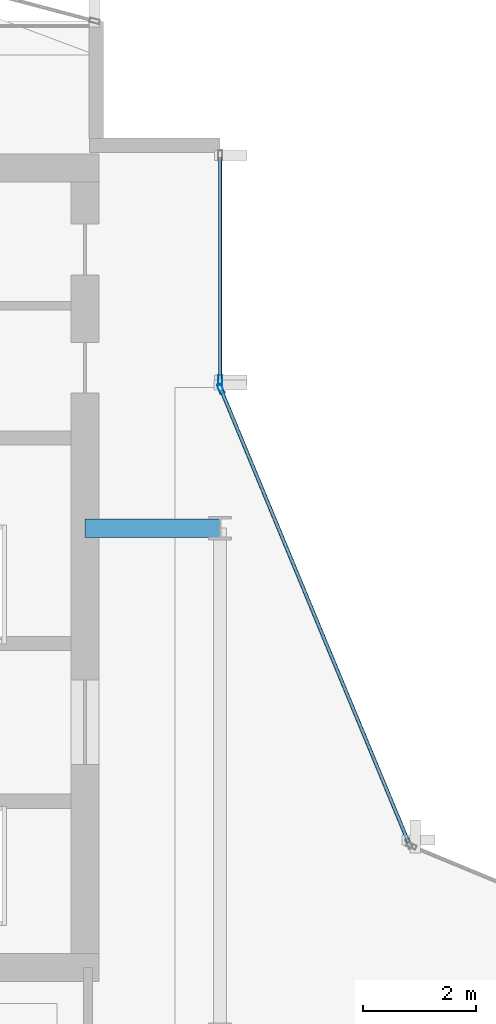
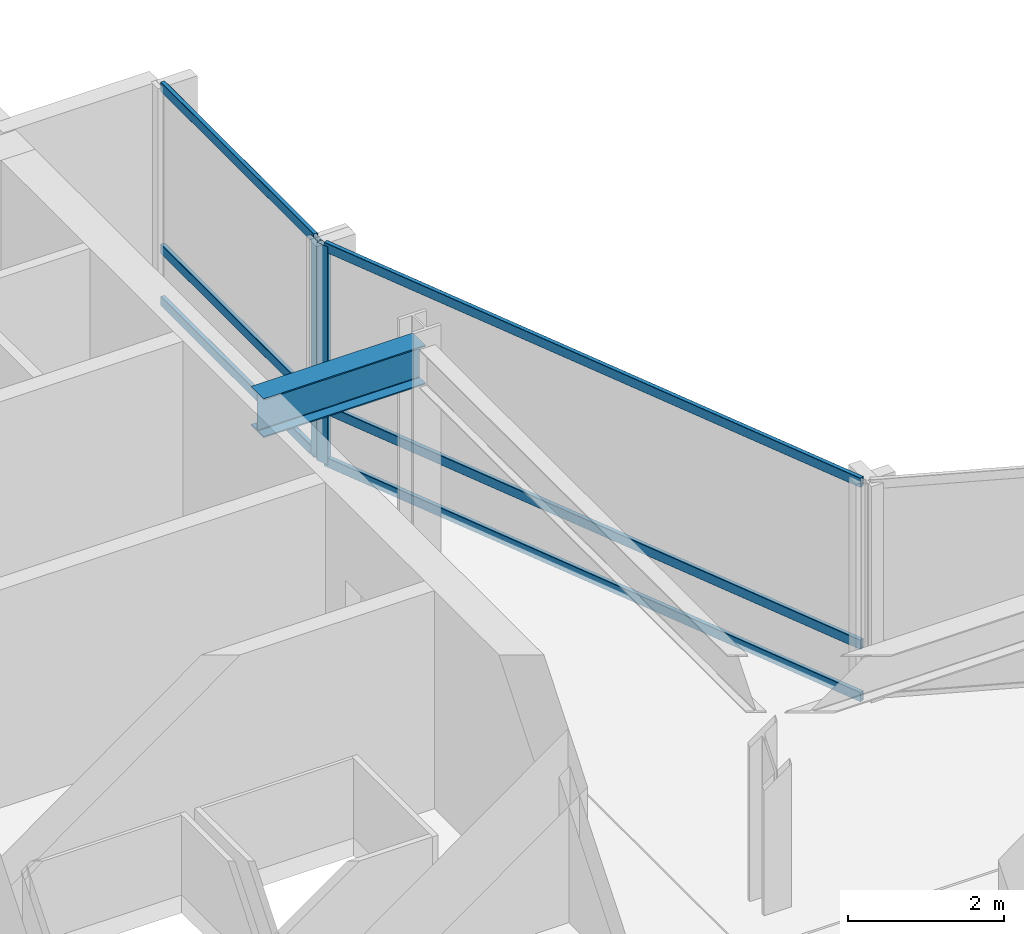
# One storey, part 17 of 27: 8 members, 1 beam, 2 elements without a shape of their own.
"""IFC4 building model written with IfcOpenShell, lengths in metres."""

from ifc_helpers import new_model, si_unit, direction, frame, origin, origin_2d, place, context, subcontext, project, spatial, hollow_rectangle, i_section, extrude, material, layer, layer_set, material_profile, profile_set, type_object, element, aggregate, save


model = new_model("IFC4")

# Units and contexts
model_context = context("Model", 3, precision=1e-05, world=origin(), true_north=direction((0.0, 1.0)))
body_context = subcontext(model_context, "Body", "Model", "MODEL_VIEW")
ifc_project = project(units=[si_unit("LENGTHUNIT", "METRE"), si_unit("AREAUNIT", "SQUARE_METRE"), si_unit("VOLUMEUNIT", "CUBIC_METRE"), si_unit("PLANEANGLEUNIT", "RADIAN"), si_unit("MASSUNIT", "GRAM", prefix="KILO")], contexts=[model_context])

# Site, building, storey
site_placement = place(None, origin())
site = spatial("IfcSite", under=ifc_project, at=site_placement, CompositionType="ELEMENT")
building_placement = place(site_placement, origin())
building = spatial("IfcBuilding", under=site, at=building_placement, Name="Solvaryn Broadcast Tower", CompositionType="ELEMENT")
storey_placement = place(building_placement, frame((0.0, 0.0, 185.300048828125)))
storey = spatial("IfcBuildingStorey", under=building, at=storey_placement, Name="L46", CompositionType="ELEMENT", Elevation=185.300048828125)

# Beam
ifc_material_1 = material(Name="Steel ASTM A992 Grade 50", Category="steel")
ifc_material_profile_1 = material_profile(ifc_material_1, i_section(OverallWidth=0.323974609375, OverallDepth=0.611083984375, WebThickness=0.0126953125, FlangeThickness=0.01904296875, FilletRadius=0.014892578125, at=origin_2d()))
ifc_profile_set_1 = profile_set([ifc_material_profile_1], Name="Steel ASTM A992 Grade 50")
beam_type = type_object("IfcBeamType", Name="BM-B1-W24X104", PredefinedType="BEAM", material=ifc_profile_set_1)
beam_placement = place(storey_placement, frame((24.60009765625, 36.0, 3.114501953125), z_axis=(1.0, 0.0, 0.0), x_axis=(0.0, 1.0, 0.0)))
element("IfcBeam", 1, at=beam_placement, inside=storey, type_object=beam_type, Name="L46 Core Tie Beam CTW2", PredefinedType="BEAM", context=body_context, shape_type="SweptSolid", body=[
    extrude(i_section(OverallWidth=0.323974609375, OverallDepth=0.611083984375, WebThickness=0.0126953125, FlangeThickness=0.01904296875, FilletRadius=0.014892578125, at=origin_2d()), origin(), (0.0, 0.0, 1.0), 2.39990234375),
])

# Curtain wall, member
ifc_material_2 = material(Name="Aluminium and Terracotta Unitised Curtain Wall", Category="masonry")
ifc_layer = layer(ifc_material_2, 0.199951171875)
ifc_layer_set = layer_set([ifc_layer], Name="CW-SYS2-LOWMID")
curtain_wall_type = type_object("IfcCurtainWallType", Name="CW-SYS2-LOWMID", PredefinedType="NOTDEFINED", material=ifc_layer_set)
curtain_wall_1_placement = place(storey_placement, origin())
curtain_wall_1 = element("IfcCurtainWall", 2, at=curtain_wall_1_placement, inside=storey, type_object=curtain_wall_type, Name="L46 Curtain Wall IV", PredefinedType="NOTDEFINED")
ifc_material_3 = material(Name="Anodised Aluminium 6063-T6", Category="aluminium")
ifc_material_profile_2 = material_profile(ifc_material_3, hollow_rectangle(XDim=0.074951171875, YDim=0.179931640625, WallThickness=0.00390625, InnerFilletRadius=0.00390625, OuterFilletRadius=0.008056640625, at=origin_2d()))
ifc_profile_set_2 = profile_set([ifc_material_profile_2], Name="Anodised Aluminium 6063-T6")
member_type_1 = type_object("IfcMemberType", Name="CW-MUL-180", PredefinedType="MULLION", material=ifc_profile_set_2)
member_1_placement = place(storey_placement, frame((27.0, 38.6298828125, 0.0), z_axis=(0.0, 0.0, 1.0), x_axis=(1.0, 0.0, 0.0)))
member_1 = element("IfcMember", 3, at=member_1_placement, type_object=member_type_1, Name="CWS2 mullion 2", PredefinedType="MULLION", context=body_context, shape_type="SweptSolid", body=[
    extrude(hollow_rectangle(XDim=0.074951171875, YDim=0.179931640625, WallThickness=0.00390625, InnerFilletRadius=0.00390625, OuterFilletRadius=0.008056640625, at=origin_2d()), origin(), (0.0, 0.0, 1.0), 3.419921875),
])

curtain_wall_2_placement = place(storey_placement, origin())
curtain_wall_2 = element("IfcCurtainWall", 4, at=curtain_wall_2_placement, inside=storey, type_object=curtain_wall_type, Name="L46 Curtain Wall CN2", PredefinedType="NOTDEFINED")
member_2_placement = place(storey_placement, frame((27.011474609375, 38.47216796875, 0.0), z_axis=(0.0, 0.0, 1.0), x_axis=(-0.923894983957, -0.382646127145, 0.0)))
member_2 = element("IfcMember", 5, at=member_2_placement, type_object=member_type_1, Name="CWS2 mullion 2", PredefinedType="MULLION", context=body_context, shape_type="SweptSolid", body=[
    extrude(hollow_rectangle(XDim=0.074951171875, YDim=0.179931640625, WallThickness=0.00390625, InnerFilletRadius=0.00390625, OuterFilletRadius=0.008056640625, at=origin_2d()), origin(), (0.0, 0.0, 1.0), 3.419921875),
])

# Member
ifc_material_4 = material(Name="Anodised Aluminium 6063-T6", Category="aluminium")
ifc_material_profile_3 = material_profile(ifc_material_4, hollow_rectangle(XDim=0.06494140625, YDim=0.14990234375, WallThickness=0.00390625, InnerFilletRadius=0.00390625, OuterFilletRadius=0.008056640625, at=origin_2d()))
ifc_profile_set_3 = profile_set([ifc_material_profile_3], Name="Anodised Aluminium 6063-T6")
member_type_2 = type_object("IfcMemberType", Name="CW-TRN-150", PredefinedType="USERDEFINED", material=ifc_profile_set_3)
member_3_placement = place(storey_placement, frame((27.0, 42.590087890625, 0.030029296875), z_axis=(0.0, -1.0, 0.0), x_axis=(1.0, 0.0, 0.0)))
member_3 = element("IfcMember", 6, at=member_3_placement, type_object=member_type_2, Name="CWS2 transom 1.1", ObjectType="TRANSOM", PredefinedType="USERDEFINED", context=body_context, shape_type="SweptSolid", body=[
    extrude(hollow_rectangle(XDim=0.06494140625, YDim=0.14990234375, WallThickness=0.00390625, InnerFilletRadius=0.00390625, OuterFilletRadius=0.008056640625, at=origin_2d()), origin(), (0.0, 0.0, 1.0), 3.93017578125),
])

member_4_placement = place(storey_placement, frame((27.0, 42.590087890625, 0.849853515625), z_axis=(0.0, -1.0, 0.0), x_axis=(1.0, 0.0, 0.0)))
member_4 = element("IfcMember", 7, at=member_4_placement, type_object=member_type_2, Name="CWS2 transom 1.2", ObjectType="TRANSOM", PredefinedType="USERDEFINED", context=body_context, shape_type="SweptSolid", body=[
    extrude(hollow_rectangle(XDim=0.06494140625, YDim=0.14990234375, WallThickness=0.00390625, InnerFilletRadius=0.00390625, OuterFilletRadius=0.008056640625, at=origin_2d()), origin(), (0.0, 0.0, 1.0), 3.93017578125),
])

member_5_placement = place(storey_placement, frame((27.0, 42.590087890625, 3.389892578125), z_axis=(0.0, -1.0, 0.0), x_axis=(1.0, 0.0, 0.0)))
member_5 = element("IfcMember", 8, at=member_5_placement, type_object=member_type_2, Name="CWS2 transom 1.3", ObjectType="TRANSOM", PredefinedType="USERDEFINED", context=body_context, shape_type="SweptSolid", body=[
    extrude(hollow_rectangle(XDim=0.06494140625, YDim=0.14990234375, WallThickness=0.00390625, InnerFilletRadius=0.00390625, OuterFilletRadius=0.008056640625, at=origin_2d()), origin(), (0.0, 0.0, 1.0), 3.93017578125),
])

aggregate(curtain_wall_1, [member_1, member_3, member_4, member_5])

member_6_placement = place(storey_placement, frame((30.344970703125, 30.42333984375, 0.030029296875), z_axis=(-0.382635748975, 0.923899282177, 0.0), x_axis=(-0.923899282177, -0.382635748975, 0.0)))
member_6 = element("IfcMember", 9, at=member_6_placement, type_object=member_type_2, Name="CWS2 transom 1.1", ObjectType="TRANSOM", PredefinedType="USERDEFINED", context=body_context, shape_type="SweptSolid", body=[
    extrude(hollow_rectangle(XDim=0.06494140625, YDim=0.14990234375, WallThickness=0.00390625, InnerFilletRadius=0.00390625, OuterFilletRadius=0.008056640625, at=origin_2d()), origin(), (0.0, 0.0, 1.0), 8.681884765625),
])

member_7_placement = place(storey_placement, frame((30.344970703125, 30.42333984375, 0.849853515625), z_axis=(-0.382635748975, 0.923899282177, 0.0), x_axis=(-0.923899282177, -0.382635748975, 0.0)))
member_7 = element("IfcMember", 10, at=member_7_placement, type_object=member_type_2, Name="CWS2 transom 1.2", ObjectType="TRANSOM", PredefinedType="USERDEFINED", context=body_context, shape_type="SweptSolid", body=[
    extrude(hollow_rectangle(XDim=0.06494140625, YDim=0.14990234375, WallThickness=0.00390625, InnerFilletRadius=0.00390625, OuterFilletRadius=0.008056640625, at=origin_2d()), origin(), (0.0, 0.0, 1.0), 8.681884765625),
])

member_8_placement = place(storey_placement, frame((30.344970703125, 30.42333984375, 3.389892578125), z_axis=(-0.382635748975, 0.923899282177, 0.0), x_axis=(-0.923899282177, -0.382635748975, 0.0)))
member_8 = element("IfcMember", 11, at=member_8_placement, type_object=member_type_2, Name="CWS2 transom 1.3", ObjectType="TRANSOM", PredefinedType="USERDEFINED", context=body_context, shape_type="SweptSolid", body=[
    extrude(hollow_rectangle(XDim=0.06494140625, YDim=0.14990234375, WallThickness=0.00390625, InnerFilletRadius=0.00390625, OuterFilletRadius=0.008056640625, at=origin_2d()), origin(), (0.0, 0.0, 1.0), 8.681884765625),
])

aggregate(curtain_wall_2, [member_2, member_6, member_7, member_8])

save(model, "model.ifc")
